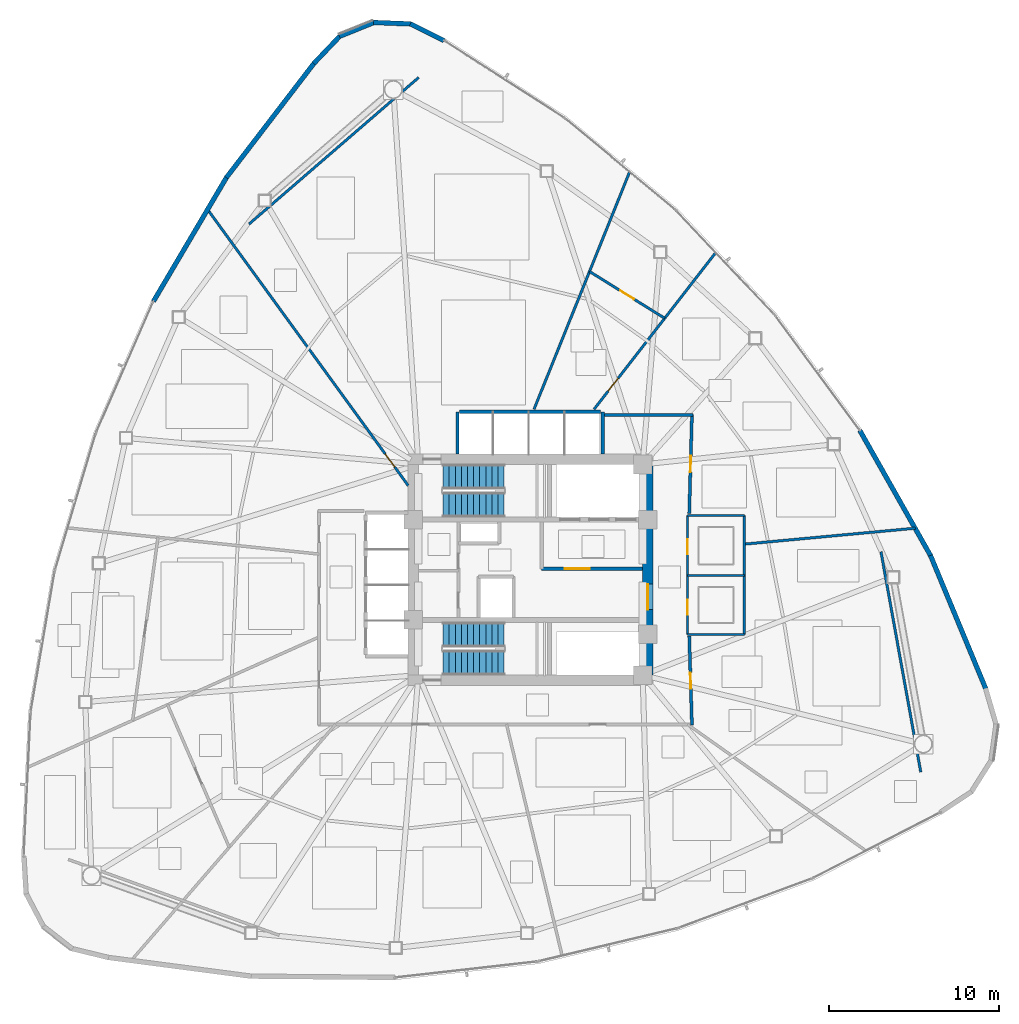
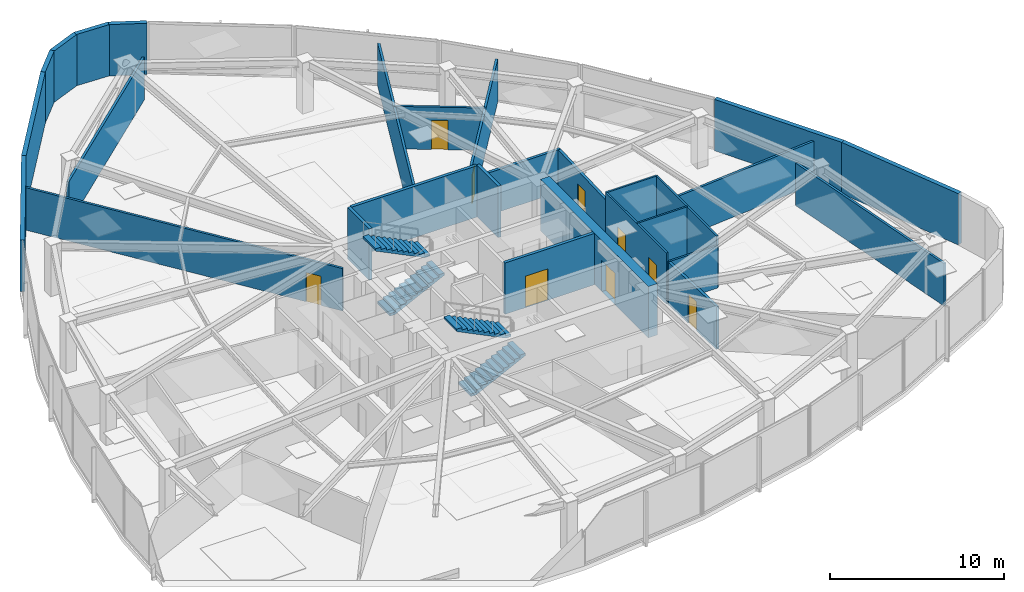
# One storey, part 12 of 17: 28 walls, 9 doors, 4 stair flights, 9 openings, 2 elements without a shape of their own.
"""IFC4 building model written with IfcOpenShell, lengths in metres."""

from ifc_helpers import new_model, si_unit, direction, frame, frame_2d, origin, place, context, subcontext, project, spatial, polyline, rectangle, outline, extrude, material, layer, layer_set, type_object, element, fill, aggregate, save


model = new_model("IFC4")

# Units and contexts
model_context = context("Model", 3, precision=1e-05, world=origin(), true_north=direction((0.0, 1.0)))
body_context = subcontext(model_context, "Body", "Model", "MODEL_VIEW")
ifc_project = project(units=[si_unit("LENGTHUNIT", "METRE"), si_unit("AREAUNIT", "SQUARE_METRE"), si_unit("VOLUMEUNIT", "CUBIC_METRE"), si_unit("PLANEANGLEUNIT", "RADIAN"), si_unit("MASSUNIT", "GRAM", prefix="KILO")], contexts=[model_context])

# Site, building, storey
site_placement = place(None, origin())
site = spatial("IfcSite", under=ifc_project, at=site_placement, CompositionType="ELEMENT")
building_placement = place(site_placement, origin())
building = spatial("IfcBuilding", under=site, at=building_placement, Name="Tavelor Broadcast Tower", CompositionType="ELEMENT")
storey_placement = place(building_placement, frame((0.0, 0.0, 66.60009765625)))
storey = spatial("IfcBuildingStorey", under=building, at=storey_placement, Name="L15", CompositionType="ELEMENT", Elevation=66.60009765625)

# Wall, opening, door
ifc_material_1 = material(Name="Concrete C60/75", Category="concrete")
ifc_layer_1 = layer(ifc_material_1, 0.60009765625)
ifc_layer_set_1 = layer_set([ifc_layer_1], Name="Concrete C60/75")
wall_type_1 = type_object("IfcWallType", Name="Core Shear Wall 600 mm", PredefinedType="SHEAR", material=ifc_layer_set_1)
wall_1_placement = place(storey_placement, frame((56.89990234375, 38.800048828125, 0.0), z_axis=(0.0, 0.0, 1.0), x_axis=(0.0, 1.0, 0.0)))
wall_1 = element("IfcWall", 1, at=wall_1_placement, inside=storey, type_object=wall_type_1, Name="L15 Central Core Shear Wall E", PredefinedType="SHEAR", context=body_context, shape_type="SweptSolid", body=[
    extrude(rectangle(XDim=12.39990234375, YDim=0.60009765625, at=frame_2d((6.199951171875, 0.0))), origin(), (0.0, 0.0, 1.0), 3.599853515625),
])
opening_1_placement = place(wall_1_placement, frame((3.85009765625, 0.0, 0.0)))
opening_1 = element("IfcOpeningElement", 2, at=opening_1_placement, cuts=wall_1, Name="Opening DR14", PredefinedType="OPENING", context=body_context, shape_type="SweptSolid", body=[
    extrude(rectangle(XDim=1.5, YDim=2.199951171875, at=frame_2d((0.75, 1.10009765625))), frame((0.0, 0.31005859375, 0.0), z_axis=(0.0, -1.0, 0.0), x_axis=(1.0, 0.0, 0.0)), (0.0, 0.0, 1.0), 0.6201171875),
])
ifc_material_2 = material(Name="Steel S355", Category="steel")
door_type_1 = type_object("IfcDoorType", Name="Firefighting Lobby Double Fire Door 1500x2200", OperationType="NOTDEFINED", PredefinedType="DOOR", material=ifc_material_2)
door_1_placement = place(opening_1_placement, origin())
door_1 = element("IfcDoor", 3, at=door_1_placement, inside=storey, type_object=door_type_1, Name="L15 Central Core Lobby Fire Door", OperationType="SINGLE_SWING_RIGHT", OverallHeight=2.199951171875, OverallWidth=1.5, PredefinedType="DOOR", context=body_context, shape_type="SweptSolid", body=[
    extrude(rectangle(XDim=1.5, YDim=2.199951171875, at=frame_2d((0.75, 1.10009765625))), frame((0.0, 0.02490234375, 0.0), z_axis=(0.0, -1.0, 0.0), x_axis=(1.0, 0.0, 0.0)), (0.0, 0.0, 1.0), 0.050048828125),
])
fill(opening_1, door_1)

# Wall
ifc_material_3 = material(Name="Calcium Silicate Fire Board 180 mm", Category="gypsum")
ifc_layer_2 = layer(ifc_material_3, 0.179931640625)
ifc_layer_set_2 = layer_set([ifc_layer_2], Name="Calcium Silicate Fire Board 180 mm")
wall_type_2 = type_object("IfcWallType", Name="Fire-Rated Corridor Partition Wall 180 mm", PredefinedType="PARTITIONING", material=ifc_layer_set_2)
wall_2_placement = place(storey_placement, frame((54.300048828125, 54.10009765625, 0.0), z_axis=(0.0, 0.0, 1.0), x_axis=(1.0, 0.0, 0.0)))
element("IfcWall", 4, at=wall_2_placement, inside=storey, type_object=wall_type_2, Name="L15 Corridor Compartment Wall 01", PredefinedType="PARTITIONING", context=body_context, shape_type="SweptSolid", body=[
    extrude(rectangle(XDim=5.25, YDim=0.179931640625, at=frame_2d((2.625, 0.0))), origin(), (0.0, 0.0, 1.0), 2.974853515625),
])

# Wall, opening, door
wall_3_placement = place(storey_placement, frame((59.50146484375, 54.14990234375, 0.0), z_axis=(0.0, 0.0, 1.0), x_axis=(-0.027367567602, -0.999625437973, 0.0)))
wall_3 = element("IfcWall", 5, at=wall_3_placement, inside=storey, type_object=wall_type_2, Name="L15 Corridor Compartment Wall 02", PredefinedType="PARTITIONING", context=body_context, shape_type="SweptSolid", body=[
    extrude(rectangle(XDim=5.85205078125, YDim=0.179931640625, at=frame_2d((2.926025390625, 0.0))), origin(), (0.0, 0.0, 1.0), 2.974853515625),
])
opening_2_placement = place(wall_3_placement, frame((2.451171875, 0.0, 0.0)))
opening_2 = element("IfcOpeningElement", 6, at=opening_2_placement, cuts=wall_3, Name="Opening DR18", PredefinedType="OPENING", context=body_context, shape_type="SweptSolid", body=[
    extrude(rectangle(XDim=0.949951171875, YDim=2.050048828125, at=frame_2d((0.47509765625, 1.02490234375))), frame((0.0, 0.10009765625, 0.0), z_axis=(0.0, -1.0, 0.0), x_axis=(1.0, 0.0, 0.0)), (0.0, 0.0, 1.0), 0.199951171875),
])
ifc_material_4 = material(Name="Timber Solid Core Hardwood", Category="wood")
door_type_2 = type_object("IfcDoorType", Name="Corridor Rated Compartment Door 950x2050", OperationType="NOTDEFINED", PredefinedType="DOOR", material=ifc_material_4)
door_2_placement = place(opening_2_placement, origin())
door_2 = element("IfcDoor", 7, at=door_2_placement, inside=storey, type_object=door_type_2, Name="L15 Presenter Quiet Snug Door R6", OperationType="SINGLE_SWING_LEFT", OverallHeight=2.050048828125, OverallWidth=0.949951171875, PredefinedType="DOOR", context=body_context, shape_type="SweptSolid", body=[
    extrude(rectangle(XDim=0.949951171875, YDim=2.050048828125, at=frame_2d((0.47509765625, 1.02490234375))), frame((0.0, 0.02490234375, 0.0), z_axis=(0.0, -1.0, 0.0), x_axis=(1.0, 0.0, 0.0)), (0.0, 0.0, 1.0), 0.050048828125),
])
fill(opening_2, door_2)

wall_4_placement = place(storey_placement, frame((59.341552734375, 41.10009765625, 0.0), z_axis=(0.0, 0.0, 1.0), x_axis=(0.030445329425, -0.999536433511, 0.0)))
wall_4 = element("IfcWall", 8, at=wall_4_placement, inside=storey, type_object=wall_type_2, Name="L15 Corridor Compartment Wall 03", PredefinedType="PARTITIONING", context=body_context, shape_type="SweptSolid", body=[
    extrude(rectangle(XDim=5.25244140625, YDim=0.179931640625, at=frame_2d((2.626220703125, 0.0))), origin(), (0.0, 0.0, 1.0), 2.974853515625),
])
opening_3_placement = place(wall_4_placement, frame((2.151123046875, 0.0, 0.0)))
opening_3 = element("IfcOpeningElement", 9, at=opening_3_placement, cuts=wall_4, Name="Opening DR18", PredefinedType="OPENING", context=body_context, shape_type="SweptSolid", body=[
    extrude(rectangle(XDim=0.949951171875, YDim=2.050048828125, at=frame_2d((0.47509765625, 1.02490234375))), frame((0.0, 0.10009765625, 0.0), z_axis=(0.0, -1.0, 0.0), x_axis=(1.0, 0.0, 0.0)), (0.0, 0.0, 1.0), 0.199951171875),
])
door_3_placement = place(opening_3_placement, origin())
door_3 = element("IfcDoor", 10, at=door_3_placement, inside=storey, type_object=door_type_2, Name="L15 Broadcast Crew Room Door R7", OperationType="SINGLE_SWING_RIGHT", OverallHeight=2.050048828125, OverallWidth=0.949951171875, PredefinedType="DOOR", context=body_context, shape_type="SweptSolid", body=[
    extrude(rectangle(XDim=0.949951171875, YDim=2.050048828125, at=frame_2d((0.47509765625, 1.02490234375))), frame((0.0, 0.02490234375, 0.0), z_axis=(0.0, -1.0, 0.0), x_axis=(1.0, 0.0, 0.0)), (0.0, 0.0, 1.0), 0.050048828125),
])
fill(opening_3, door_3)

# Walls
ifc_material_5 = material(Name="Precast Concrete C40/50", Category="concrete")
ifc_layer_3 = layer(ifc_material_5, 0.280029296875)
ifc_layer_set_3 = layer_set([ifc_layer_3], Name="Precast Concrete C40/50")
wall_type_3 = type_object("IfcWallType", Name="Insulated Precast Terracotta Facade Wall 280 mm", PredefinedType="STANDARD", material=ifc_layer_set_3)
wall_5_placement = place(storey_placement, frame((44.90771484375, 76.1474609375, 0.0), z_axis=(0.0, 0.0, 1.0), x_axis=(-0.894537641372, 0.446992626527, 0.0)))
element("IfcWall", 11, at=wall_5_placement, inside=storey, type_object=wall_type_3, Name="L15 Rounded Corner Structural Cladding Pier 01", PredefinedType="STANDARD", context=body_context, shape_type="SweptSolid", body=[
    extrude(rectangle(XDim=2.2099609375, YDim=0.280029296875, at=frame_2d((1.10498046875, 0.0))), origin(), (0.0, 0.0, 1.0), 3.599853515625),
])
wall_6_placement = place(storey_placement, frame((42.95947265625, 77.1279296875, 0.0), z_axis=(0.0, 0.0, 1.0), x_axis=(-0.9992313538, 0.039200785496, 0.0)))
element("IfcWall", 12, at=wall_6_placement, inside=storey, type_object=wall_type_3, Name="L15 Rounded Corner Structural Cladding Pier 02", PredefinedType="STANDARD", context=body_context, shape_type="SweptSolid", body=[
    extrude(rectangle(XDim=2.198486328125, YDim=0.280029296875, at=frame_2d((1.09912109375, 0.0))), origin(), (0.0, 0.0, 1.0), 3.599853515625),
])
wall_7_placement = place(storey_placement, frame((40.791748046875, 77.21923828125, 0.0), z_axis=(0.0, 0.0, 1.0), x_axis=(-0.926875066851, -0.375369964768, 0.0)))
element("IfcWall", 13, at=wall_7_placement, inside=storey, type_object=wall_type_3, Name="L15 Rounded Corner Structural Cladding Pier 03", PredefinedType="STANDARD", context=body_context, shape_type="SweptSolid", body=[
    extrude(rectangle(XDim=2.1982421875, YDim=0.280029296875, at=frame_2d((1.09912109375, 0.0))), origin(), (0.0, 0.0, 1.0), 3.599853515625),
])
wall_8_placement = place(storey_placement, frame((38.7783203125, 76.410400390625, 0.0), z_axis=(0.0, 0.0, 1.0), x_axis=(-0.690253440864, -0.723567679886, 0.0)))
element("IfcWall", 14, at=wall_8_placement, inside=storey, type_object=wall_type_3, Name="L15 Rounded Corner Structural Cladding Pier 04", PredefinedType="STANDARD", context=body_context, shape_type="SweptSolid", body=[
    extrude(rectangle(XDim=2.220458984375, YDim=0.280029296875, at=frame_2d((1.1103515625, 0.0))), origin(), (0.0, 0.0, 1.0), 3.599853515625),
])
wall_9_placement = place(storey_placement, frame((37.264892578125, 74.826416015625, 0.0), z_axis=(0.0, 0.0, 1.0), x_axis=(-0.608421288517, -0.793614223461, 0.0)))
element("IfcWall", 15, at=wall_9_placement, inside=storey, type_object=wall_type_3, Name="L15 Rounded Corner Structural Cladding Pier 05", PredefinedType="STANDARD", context=body_context, shape_type="SweptSolid", body=[
    extrude(rectangle(XDim=8.49658203125, YDim=0.280029296875, at=frame_2d((4.248291015625, 0.0))), origin(), (0.0, 0.0, 1.0), 3.599853515625),
])
wall_10_placement = place(storey_placement, frame((32.1123046875, 68.108154296875, 0.0), z_axis=(0.0, 0.0, 1.0), x_axis=(-0.50795162741, -0.861385595544, 0.0)))
element("IfcWall", 16, at=wall_10_placement, inside=storey, type_object=wall_type_3, Name="L15 Rounded Corner Structural Cladding Pier 06", PredefinedType="STANDARD", context=body_context, shape_type="SweptSolid", body=[
    extrude(rectangle(XDim=8.484619140625, YDim=0.280029296875, at=frame_2d((4.2421875, 0.0))), origin(), (0.0, 0.0, 1.0), 3.599853515625),
])
wall_11_placement = place(storey_placement, frame((76.7978515625, 37.998046875, 0.0), z_axis=(0.0, 0.0, 1.0), x_axis=(-0.383058080103, 0.923724259326, 0.0)))
element("IfcWall", 17, at=wall_11_placement, inside=storey, type_object=wall_type_3, Name="L15 Rounded Corner Structural Cladding Pier 25", PredefinedType="STANDARD", context=body_context, shape_type="SweptSolid", body=[
    extrude(rectangle(XDim=8.49658203125, YDim=0.280029296875, at=frame_2d((4.248291015625, 0.0))), origin(), (0.0, 0.0, 1.0), 3.599853515625),
])
wall_12_placement = place(storey_placement, frame((73.55615234375, 45.819580078125, 0.0), z_axis=(0.0, 0.0, 1.0), x_axis=(-0.492021225842, 0.870583202986, 0.0)))
element("IfcWall", 18, at=wall_12_placement, inside=storey, type_object=wall_type_3, Name="L15 Rounded Corner Structural Cladding Pier 26", PredefinedType="STANDARD", context=body_context, shape_type="SweptSolid", body=[
    extrude(rectangle(XDim=8.484619140625, YDim=0.280029296875, at=frame_2d((4.2421875, 0.0))), origin(), (0.0, 0.0, 1.0), 3.599853515625),
])
ifc_material_6 = material(Name="Gypsum Acoustic Plasterboard 150 mm", Category="gypsum")
ifc_layer_4 = layer(ifc_material_6, 0.14990234375)
ifc_layer_set_4 = layer_set([ifc_layer_4], Name="Gypsum Acoustic Plasterboard 150 mm")
wall_type_4 = type_object("IfcWallType", Name="Interior Acoustic Partition Wall 150 mm", PredefinedType="PARTITIONING", material=ifc_layer_set_4)
wall_13_placement = place(storey_placement, frame((43.42138671875, 73.9794921875, 0.0), z_axis=(0.0, 0.0, 1.0), x_axis=(-0.756659135409, -0.653809569218, 0.0)))
element("IfcWall", 19, at=wall_13_placement, inside=storey, type_object=wall_type_4, Name="L15 Corner Tube Brace Furring Wall 1", PredefinedType="PARTITIONING", context=body_context, shape_type="SweptSolid", body=[
    extrude(rectangle(XDim=13.200439453125, YDim=0.14990234375, at=frame_2d((6.60009765625, 0.0))), origin(), (0.0, 0.0, 1.0), 2.974853515625),
])
wall_14_placement = place(storey_placement, frame((72.96923828125, 33.09130859375, 0.0), z_axis=(0.0, 0.0, 1.0), x_axis=(-0.177742578179, 0.984077017261, 0.0)))
element("IfcWall", 20, at=wall_14_placement, inside=storey, type_object=wall_type_4, Name="L15 Corner Tube Brace Furring Wall 3", PredefinedType="PARTITIONING", context=body_context, shape_type="SweptSolid", body=[
    extrude(rectangle(XDim=13.179443359375, YDim=0.14990234375, at=frame_2d((6.58984375, 0.0))), origin(), (0.0, 0.0, 1.0), 2.974853515625),
])

# Wall, opening, door
wall_15_placement = place(storey_placement, frame((42.800048828125, 49.955078125, 0.0), z_axis=(0.0, 0.0, 1.0), x_axis=(-0.587794647475, 0.809010168292, 0.0)))
wall_15 = element("IfcWall", 21, at=wall_15_placement, inside=storey, type_object=wall_type_4, Name="L15 Radial Compartment Wall 01", PredefinedType="PARTITIONING", context=body_context, shape_type="SweptSolid", body=[
    extrude(rectangle(XDim=20.100341796875, YDim=0.14990234375, at=frame_2d((10.05029296875, 0.0))), origin(), (0.0, 0.0, 1.0), 2.974853515625),
])
opening_4_placement = place(wall_15_placement, frame((1.35009765625, 0.0, 0.0)))
opening_4 = element("IfcOpeningElement", 22, at=opening_4_placement, cuts=wall_15, Name="Opening DR18", PredefinedType="OPENING", context=body_context, shape_type="SweptSolid", body=[
    extrude(rectangle(XDim=0.949951171875, YDim=2.050048828125, at=frame_2d((0.47509765625, 1.02490234375))), frame((0.0, 0.0849609375, 0.0), z_axis=(0.0, -1.0, 0.0), x_axis=(1.0, 0.0, 0.0)), (0.0, 0.0, 1.0), 0.169921875),
])
door_4_placement = place(opening_4_placement, origin())
door_4 = element("IfcDoor", 23, at=door_4_placement, inside=storey, type_object=door_type_2, Name="L15 Suite Connecting Door 4", OperationType="SINGLE_SWING_RIGHT", OverallHeight=2.050048828125, OverallWidth=0.949951171875, PredefinedType="DOOR", context=body_context, shape_type="SweptSolid", body=[
    extrude(rectangle(XDim=0.949951171875, YDim=2.050048828125, at=frame_2d((0.47509765625, 1.02490234375))), frame((0.0, 0.02490234375, 0.0), z_axis=(0.0, -1.0, 0.0), x_axis=(1.0, 0.0, 0.0)), (0.0, 0.0, 1.0), 0.050048828125),
])
fill(opening_4, door_4)

# Wall
wall_16_placement = place(storey_placement, frame((62.64990234375, 46.5146484375, 0.0), z_axis=(0.0, 0.0, 1.0), x_axis=(0.995684565506, 0.092802187545, 0.0)))
element("IfcWall", 24, at=wall_16_placement, inside=storey, type_object=wall_type_4, Name="L15 Radial Compartment Wall 07", PredefinedType="PARTITIONING", context=body_context, shape_type="SweptSolid", body=[
    extrude(rectangle(XDim=10.04150390625, YDim=0.14990234375, at=frame_2d((5.020751953125, 0.0))), origin(), (0.0, 0.0, 1.0), 3.02490234375),
])

# Wall, opening, door
wall_17_placement = place(storey_placement, frame((53.739990234375, 54.449951171875, 0.0), z_axis=(0.0, 0.0, 1.0), x_axis=(0.613412549252, 0.789762650687, 0.0)))
wall_17 = element("IfcWall", 25, at=wall_17_placement, inside=storey, type_object=wall_type_4, Name="L15 Radial Compartment Wall 08", PredefinedType="PARTITIONING", context=body_context, shape_type="SweptSolid", body=[
    extrude(rectangle(XDim=11.685791015625, YDim=0.14990234375, at=frame_2d((5.8427734375, 0.0))), origin(), (0.0, 0.0, 1.0), 2.974853515625),
])
opening_5_placement = place(wall_17_placement, frame((1.35009765625, 0.0, 0.0)))
opening_5 = element("IfcOpeningElement", 26, at=opening_5_placement, cuts=wall_17, Name="Opening DR18", PredefinedType="OPENING", context=body_context, shape_type="SweptSolid", body=[
    extrude(rectangle(XDim=0.949951171875, YDim=2.050048828125, at=frame_2d((0.47509765625, 1.02490234375))), frame((0.0, 0.0849609375, 0.0), z_axis=(0.0, -1.0, 0.0), x_axis=(1.0, 0.0, 0.0)), (0.0, 0.0, 1.0), 0.169921875),
])
door_5_placement = place(opening_5_placement, origin())
door_5 = element("IfcDoor", 27, at=door_5_placement, inside=storey, type_object=door_type_2, Name="L15 Suite Connecting Door 9", OperationType="SINGLE_SWING_LEFT", OverallHeight=2.050048828125, OverallWidth=0.949951171875, PredefinedType="DOOR", context=body_context, shape_type="SweptSolid", body=[
    extrude(rectangle(XDim=0.949951171875, YDim=2.050048828125, at=frame_2d((0.47509765625, 1.02490234375))), frame((0.0, 0.02490234375, 0.0), z_axis=(0.0, -1.0, 0.0), x_axis=(1.0, 0.0, 0.0)), (0.0, 0.0, 1.0), 0.050048828125),
])
fill(opening_5, door_5)

# Wall
wall_18_placement = place(storey_placement, frame((50.20654296875, 54.449951171875, 0.0), z_axis=(0.0, 0.0, 1.0), x_axis=(0.373638533128, 0.927574388695, 0.0)))
element("IfcWall", 28, at=wall_18_placement, inside=storey, type_object=wall_type_4, Name="L15 Radial Compartment Wall 09", PredefinedType="PARTITIONING", context=body_context, shape_type="SweptSolid", body=[
    extrude(rectangle(XDim=15.067138671875, YDim=0.14990234375, at=frame_2d((7.53369140625, 0.0))), origin(), (0.0, 0.0, 1.0), 2.974853515625),
])

# Wall, opening, door
wall_19_placement = place(storey_placement, frame((57.897705078125, 59.802734375, 0.0), z_axis=(0.0, 0.0, 1.0), x_axis=(-0.849125227798, 0.52819158221, 0.0)))
wall_19 = element("IfcWall", 29, at=wall_19_placement, inside=storey, type_object=wall_type_4, Name="L15 Suite Chord Partition Wall 01", PredefinedType="PARTITIONING", context=body_context, shape_type="SweptSolid", body=[
    extrude(rectangle(XDim=5.21240234375, YDim=0.14990234375, at=frame_2d((2.606201171875, 0.0))), origin(), (0.0, 0.0, 1.0), 2.974853515625),
])
opening_6_placement = place(wall_19_placement, frame((2.131103515625, 0.0, 0.0)))
opening_6 = element("IfcOpeningElement", 30, at=opening_6_placement, cuts=wall_19, Name="Opening DR23", PredefinedType="OPENING", context=body_context, shape_type="SweptSolid", body=[
    extrude(rectangle(XDim=0.949951171875, YDim=2.050048828125, at=frame_2d((0.47509765625, 1.02490234375))), frame((0.0, 0.0849609375, 0.0), z_axis=(0.0, -1.0, 0.0), x_axis=(1.0, 0.0, 0.0)), (0.0, 0.0, 1.0), 0.169921875),
])
door_type_3 = type_object("IfcDoorType", Name="Editorial Room Acoustic Door 950x2050", OperationType="NOTDEFINED", PredefinedType="DOOR", material=ifc_material_4)
door_6_placement = place(opening_6_placement, origin())
door_6 = element("IfcDoor", 31, at=door_6_placement, inside=storey, type_object=door_type_3, Name="L15 Outer Suite Partition Door 1", OperationType="SINGLE_SWING_RIGHT", OverallHeight=2.050048828125, OverallWidth=0.949951171875, PredefinedType="DOOR", context=body_context, shape_type="SweptSolid", body=[
    extrude(rectangle(XDim=0.949951171875, YDim=2.050048828125, at=frame_2d((0.47509765625, 1.02490234375))), frame((0.0, 0.02490234375, 0.0), z_axis=(0.0, -1.0, 0.0), x_axis=(1.0, 0.0, 0.0)), (0.0, 0.0, 1.0), 0.050048828125),
])
fill(opening_6, door_6)

# Walls
ifc_material_7 = material(Name="Concrete Blockwork 200 mm", Category="masonry")
ifc_layer_5 = layer(ifc_material_7, 0.199951171875)
ifc_layer_set_5 = layer_set([ifc_layer_5], Name="Concrete Blockwork 200 mm")
wall_type_5 = type_object("IfcWallType", Name="Lift Hoistway Rated Front Wall 200 mm", PredefinedType="PARTITIONING", material=ifc_layer_set_5)
wall_20_placement = place(storey_placement, frame((45.820068359375, 54.300048828125, 0.0), z_axis=(0.0, 0.0, 1.0), x_axis=(1.0, 0.0, 0.0)))
element("IfcWall", 32, at=wall_20_placement, inside=storey, type_object=wall_type_5, Name="L15 High-Rise Lift Hoistway Front Wall", PredefinedType="PARTITIONING", context=body_context, shape_type="SweptSolid", body=[
    extrude(rectangle(XDim=8.309814453125, YDim=0.199951171875, at=frame_2d((4.15478515625, 0.0))), origin(), (0.0, 0.0, 1.0), 3.599853515625),
])
ifc_layer_6 = layer(ifc_material_7, 0.199951171875)
ifc_layer_set_6 = layer_set([ifc_layer_6], Name="Concrete Blockwork 200 mm")
wall_type_6 = type_object("IfcWallType", Name="Lift and Riser Shaft Enclosure Wall 200 mm", PredefinedType="PARTITIONING", material=ifc_layer_set_6)
for number, where, z_axis, x_axis, name in (
    (33, (45.699951171875, 51.800048828125, 0.0), (0.0, 0.0, 1.0), (0.0, 1.0, 0.0), "L15 High-Rise Lift Shaft West Wall"),
    (34, (54.25, 51.800048828125, 0.0), (0.0, 0.0, 1.0), (0.0, 1.0, 0.0), "L15 High-Rise Lift Shaft East Wall"),
):
    element("IfcWall", number, at=place(storey_placement, frame(where, z_axis=z_axis, x_axis=x_axis)), inside=storey, type_object=wall_type_6, Name=name, PredefinedType="PARTITIONING", context=body_context, shape_type="SweptSolid", body=[
        extrude(rectangle(XDim=2.5, YDim=0.199951171875, at=frame_2d((1.25, 0.0))), origin(), (0.0, 0.0, 1.0), 3.599853515625),
    ])

# Wall, opening, door
wall_21_placement = place(storey_placement, frame((50.64990234375, 45.050048828125, 0.0), z_axis=(0.0, 0.0, 1.0), x_axis=(1.0, 0.0, 0.0)))
wall_21 = element("IfcWall", 35, at=wall_21_placement, inside=storey, type_object=wall_type_6, Name="L15 Firefighting Lobby South Wall", PredefinedType="PARTITIONING", context=body_context, shape_type="SweptSolid", body=[
    extrude(rectangle(XDim=5.9501953125, YDim=0.199951171875, at=frame_2d((2.97509765625, 0.0))), origin(), (0.0, 0.0, 1.0), 3.599853515625),
])
opening_7_placement = place(wall_21_placement, frame((1.35009765625, 0.0, 0.0)))
opening_7 = element("IfcOpeningElement", 36, at=opening_7_placement, cuts=wall_21, Name="Opening DR14", PredefinedType="OPENING", context=body_context, shape_type="SweptSolid", body=[
    extrude(rectangle(XDim=1.5, YDim=2.199951171875, at=frame_2d((0.75, 1.10009765625))), frame((0.0, 0.10986328125, 0.0), z_axis=(0.0, -1.0, 0.0), x_axis=(1.0, 0.0, 0.0)), (0.0, 0.0, 1.0), 0.219970703125),
])
door_7_placement = place(opening_7_placement, origin())
door_7 = element("IfcDoor", 37, at=door_7_placement, inside=storey, type_object=door_type_1, Name="L15 Firefighting Lobby Compartment Door", OperationType="SINGLE_SWING_LEFT", OverallHeight=2.199951171875, OverallWidth=1.5, PredefinedType="DOOR", context=body_context, shape_type="SweptSolid", body=[
    extrude(rectangle(XDim=1.5, YDim=2.199951171875, at=frame_2d((0.75, 1.10009765625))), frame((0.0, 0.02490234375, 0.0), z_axis=(0.0, -1.0, 0.0), x_axis=(1.0, 0.0, 0.0)), (0.0, 0.0, 1.0), 0.050048828125),
])
fill(opening_7, door_7)

# Wall, openings, doors
ifc_material_8 = material(Name="Moisture-Resistant Plasterboard 120 mm", Category="gypsum")
ifc_layer_7 = layer(ifc_material_8, 0.1201171875)
ifc_layer_set_7 = layer_set([ifc_layer_7], Name="Moisture-Resistant Plasterboard 120 mm")
wall_type_7 = type_object("IfcWallType", Name="Moisture-Resistant Wet-Room Partition 120 mm", PredefinedType="PARTITIONING", material=ifc_layer_set_7)
wall_22_placement = place(storey_placement, frame((59.239990234375, 41.199951171875, 0.0), z_axis=(0.0, 0.0, 1.0), x_axis=(0.0, 1.0, 0.0)))
wall_22 = element("IfcWall", 38, at=wall_22_placement, inside=storey, type_object=wall_type_7, Name="L15 Floor Washrooms West Wall", PredefinedType="PARTITIONING", context=body_context, shape_type="SweptSolid", body=[
    extrude(rectangle(XDim=7.0, YDim=0.1201171875, at=frame_2d((3.5, 0.0))), origin(), (0.0, 0.0, 1.0), 3.599853515625),
])
opening_8_placement = place(wall_22_placement, frame((1.14990234375, 0.0, 0.0)))
opening_8 = element("IfcOpeningElement", 39, at=opening_8_placement, cuts=wall_22, Name="Opening DR32", PredefinedType="OPENING", context=body_context, shape_type="SweptSolid", body=[
    extrude(rectangle(XDim=0.89990234375, YDim=2.050048828125, at=frame_2d((0.449951171875, 1.02490234375))), frame((0.0, 0.070068359375, 0.0), z_axis=(0.0, -1.0, 0.0), x_axis=(1.0, 0.0, 0.0)), (0.0, 0.0, 1.0), 0.14013671875),
])
opening_9_placement = place(wall_22_placement, frame((4.699951171875, 0.0, 0.0)))
opening_9 = element("IfcOpeningElement", 40, at=opening_9_placement, cuts=wall_22, Name="Opening DR32", PredefinedType="OPENING", context=body_context, shape_type="SweptSolid", body=[
    extrude(rectangle(XDim=0.89990234375, YDim=2.050048828125, at=frame_2d((0.449951171875, 1.02490234375))), frame((0.0, 0.070068359375, 0.0), z_axis=(0.0, -1.0, 0.0), x_axis=(1.0, 0.0, 0.0)), (0.0, 0.0, 1.0), 0.14013671875),
])
door_type_4 = type_object("IfcDoorType", Name="Accessible Washroom Door 900x2050", OperationType="NOTDEFINED", PredefinedType="DOOR", material=ifc_material_4)
door_8_placement = place(opening_8_placement, origin())
door_8 = element("IfcDoor", 41, at=door_8_placement, inside=storey, type_object=door_type_4, Name="L15 Accessible WC Door", OperationType="SINGLE_SWING_LEFT", OverallHeight=2.050048828125, OverallWidth=0.89990234375, PredefinedType="DOOR", context=body_context, shape_type="SweptSolid", body=[
    extrude(rectangle(XDim=0.89990234375, YDim=2.050048828125, at=frame_2d((0.449951171875, 1.02490234375))), frame((0.0, 0.02490234375, 0.0), z_axis=(0.0, -1.0, 0.0), x_axis=(1.0, 0.0, 0.0)), (0.0, 0.0, 1.0), 0.050048828125),
])
fill(opening_8, door_8)
door_9_placement = place(opening_9_placement, origin())
door_9 = element("IfcDoor", 42, at=door_9_placement, inside=storey, type_object=door_type_4, Name="L15 Staff Washroom WC Door", OperationType="SINGLE_SWING_RIGHT", OverallHeight=2.050048828125, OverallWidth=0.89990234375, PredefinedType="DOOR", context=body_context, shape_type="SweptSolid", body=[
    extrude(rectangle(XDim=0.89990234375, YDim=2.050048828125, at=frame_2d((0.449951171875, 1.02490234375))), frame((0.0, 0.02490234375, 0.0), z_axis=(0.0, -1.0, 0.0), x_axis=(1.0, 0.0, 0.0)), (0.0, 0.0, 1.0), 0.050048828125),
])
fill(opening_9, door_9)

# Walls
wall_23_placement = place(storey_placement, frame((59.239990234375, 41.199951171875, 0.0), z_axis=(0.0, 0.0, 1.0), x_axis=(1.0, 0.0, 0.0)))
element("IfcWall", 43, at=wall_23_placement, inside=storey, type_object=wall_type_7, Name="L15 Floor Washrooms South Wall", PredefinedType="PARTITIONING", context=body_context, shape_type="SweptSolid", body=[
    extrude(rectangle(XDim=3.340087890625, YDim=0.1201171875, at=frame_2d((1.669921875, 0.0))), origin(), (0.0, 0.0, 1.0), 2.974853515625),
])
for number, where, z_axis, x_axis, name in (
    (44, (59.239990234375, 44.64990234375, 0.0), (0.0, 0.0, 1.0), (1.0, 0.0, 0.0), "L15 Floor Washrooms Divider Wall"),
    (45, (59.239990234375, 48.199951171875, 0.0), (0.0, 0.0, 1.0), (1.0, 0.0, 0.0), "L15 Floor Washrooms North Wall"),
):
    element("IfcWall", number, at=place(storey_placement, frame(where, z_axis=z_axis, x_axis=x_axis)), inside=storey, type_object=wall_type_7, Name=name, PredefinedType="PARTITIONING", context=body_context, shape_type="SweptSolid", body=[
        extrude(rectangle(XDim=3.340087890625, YDim=0.1201171875, at=frame_2d((1.669921875, 0.0))), origin(), (0.0, 0.0, 1.0), 3.599853515625),
    ])
wall_24_placement = place(storey_placement, frame((62.580078125, 41.199951171875, 0.0), z_axis=(0.0, 0.0, 1.0), x_axis=(0.0, 1.0, 0.0)))
element("IfcWall", 46, at=wall_24_placement, inside=storey, type_object=wall_type_7, Name="L15 Floor Washrooms East Wall", PredefinedType="PARTITIONING", context=body_context, shape_type="SweptSolid", body=[
    extrude(rectangle(XDim=7.0, YDim=0.1201171875, at=frame_2d((3.5, 0.0))), origin(), (0.0, 0.0, 1.0), 3.599853515625),
])

# Stair, stair flights
ifc_material_9 = material(Name="Concrete C40/50", Category="concrete")
stair_type = type_object("IfcStairType", Name="Reinforced Concrete Protected Dogleg Stair 1450 mm", PredefinedType="HALF_TURN_STAIR", material=ifc_material_9)
stair_1_placement = place(storey_placement, origin())
stair_1 = element("IfcStair", 47, at=stair_1_placement, inside=storey, type_object=stair_type, Name="L15 Protected Core Exit Stair ST1", PredefinedType="HALF_TURN_STAIR")
stair_flight_type = type_object("IfcStairFlightType", Name="Reinforced Concrete Stair Flight 1450 mm", PredefinedType="STRAIGHT", material=ifc_material_9)
stair_flight_1_placement = place(storey_placement, frame((44.85009765625, 48.824951171875, 0.0), z_axis=(0.0, 0.0, 1.0), x_axis=(1.0, 0.0, 0.0)))
stair_flight_1 = element("IfcStairFlight", 48, at=stair_flight_1_placement, type_object=stair_flight_type, Name="ST1 flight 1", NumberOfRisers=11, NumberOfTreads=10, PredefinedType="STRAIGHT", RiserHeight=0.177272727, TreadLength=0.36, context=body_context, shape_type="SweptSolid", body=[
    extrude(outline(polyline([(0.0, 0.0), (0.0, 0.17724609375), (0.360107421875, 0.17724609375), (0.360107421875, 0.3544921875), (0.719970703125, 0.3544921875), (0.719970703125, 0.53173828125), (1.080078125, 0.53173828125), (1.080078125, 0.708984375), (1.43994140625, 0.708984375), (1.43994140625, 0.886474609375), (1.800048828125, 0.886474609375), (1.800048828125, 1.063720703125), (2.159912109375, 1.063720703125), (2.159912109375, 1.240966796875), (2.52001953125, 1.240966796875), (2.52001953125, 1.418212890625), (2.8798828125, 1.418212890625), (2.8798828125, 1.595458984375), (3.239990234375, 1.595458984375), (3.239990234375, 1.772705078125), (3.60009765625, 1.772705078125), (3.60009765625, 1.949951171875), (3.60009765625, 1.605712890625), (0.33935546875, 0.0), (0.0, 0.0)])), frame((0.0, 0.72509765625, 0.0), z_axis=(0.0, -1.0, 0.0), x_axis=(1.0, 0.0, 0.0)), (0.0, 0.0, 1.0), 1.449951171875),
])
stair_flight_2_placement = place(storey_placement, frame((48.449951171875, 50.47509765625, 1.949951171875), z_axis=(0.0, 0.0, 1.0), x_axis=(-1.0, 0.0, 0.0)))
stair_flight_2 = element("IfcStairFlight", 49, at=stair_flight_2_placement, type_object=stair_flight_type, Name="ST1 flight 2", NumberOfRisers=11, NumberOfTreads=10, PredefinedType="STRAIGHT", RiserHeight=0.177272727, TreadLength=0.36, context=body_context, shape_type="SweptSolid", body=[
    extrude(outline(polyline([(0.0, 0.0), (0.0, 0.17724609375), (0.360107421875, 0.17724609375), (0.360107421875, 0.3544921875), (0.719970703125, 0.3544921875), (0.719970703125, 0.53173828125), (1.080078125, 0.53173828125), (1.080078125, 0.708984375), (1.43994140625, 0.708984375), (1.43994140625, 0.886474609375), (1.800048828125, 0.886474609375), (1.800048828125, 1.063720703125), (2.159912109375, 1.063720703125), (2.159912109375, 1.240966796875), (2.52001953125, 1.240966796875), (2.52001953125, 1.418212890625), (2.8798828125, 1.418212890625), (2.8798828125, 1.595458984375), (3.239990234375, 1.595458984375), (3.239990234375, 1.772705078125), (3.60009765625, 1.772705078125), (3.60009765625, 1.949951171875), (3.60009765625, 1.605712890625), (0.33935546875, 0.0), (0.0, 0.0)])), frame((0.0, 0.72509765625, 0.0), z_axis=(0.0, -1.0, 0.0), x_axis=(1.0, 0.0, 0.0)), (0.0, 0.0, 1.0), 1.449951171875),
])
aggregate(stair_1, [stair_flight_1, stair_flight_2])

stair_2_placement = place(storey_placement, origin())
stair_2 = element("IfcStair", 50, at=stair_2_placement, inside=storey, type_object=stair_type, Name="L15 Protected Core Exit Stair ST2", PredefinedType="HALF_TURN_STAIR")
stair_flight_3_placement = place(storey_placement, frame((44.85009765625, 39.52490234375, 0.0), z_axis=(0.0, 0.0, 1.0), x_axis=(1.0, 0.0, 0.0)))
stair_flight_3 = element("IfcStairFlight", 51, at=stair_flight_3_placement, type_object=stair_flight_type, Name="ST2 flight 1", NumberOfRisers=11, NumberOfTreads=10, PredefinedType="STRAIGHT", RiserHeight=0.177272727, TreadLength=0.36, context=body_context, shape_type="SweptSolid", body=[
    extrude(outline(polyline([(0.0, 0.0), (0.0, 0.17724609375), (0.360107421875, 0.17724609375), (0.360107421875, 0.3544921875), (0.719970703125, 0.3544921875), (0.719970703125, 0.53173828125), (1.080078125, 0.53173828125), (1.080078125, 0.708984375), (1.43994140625, 0.708984375), (1.43994140625, 0.886474609375), (1.800048828125, 0.886474609375), (1.800048828125, 1.063720703125), (2.159912109375, 1.063720703125), (2.159912109375, 1.240966796875), (2.52001953125, 1.240966796875), (2.52001953125, 1.418212890625), (2.8798828125, 1.418212890625), (2.8798828125, 1.595458984375), (3.239990234375, 1.595458984375), (3.239990234375, 1.772705078125), (3.60009765625, 1.772705078125), (3.60009765625, 1.949951171875), (3.60009765625, 1.605712890625), (0.33935546875, 0.0), (0.0, 0.0)])), frame((0.0, 0.72509765625, 0.0), z_axis=(0.0, -1.0, 0.0), x_axis=(1.0, 0.0, 0.0)), (0.0, 0.0, 1.0), 1.449951171875),
])
stair_flight_4_placement = place(storey_placement, frame((48.449951171875, 41.175048828125, 1.949951171875), z_axis=(0.0, 0.0, 1.0), x_axis=(-1.0, 0.0, 0.0)))
stair_flight_4 = element("IfcStairFlight", 52, at=stair_flight_4_placement, type_object=stair_flight_type, Name="ST2 flight 2", NumberOfRisers=11, NumberOfTreads=10, PredefinedType="STRAIGHT", RiserHeight=0.177272727, TreadLength=0.36, context=body_context, shape_type="SweptSolid", body=[
    extrude(outline(polyline([(0.0, 0.0), (0.0, 0.17724609375), (0.360107421875, 0.17724609375), (0.360107421875, 0.3544921875), (0.719970703125, 0.3544921875), (0.719970703125, 0.53173828125), (1.080078125, 0.53173828125), (1.080078125, 0.708984375), (1.43994140625, 0.708984375), (1.43994140625, 0.886474609375), (1.800048828125, 0.886474609375), (1.800048828125, 1.063720703125), (2.159912109375, 1.063720703125), (2.159912109375, 1.240966796875), (2.52001953125, 1.240966796875), (2.52001953125, 1.418212890625), (2.8798828125, 1.418212890625), (2.8798828125, 1.595458984375), (3.239990234375, 1.595458984375), (3.239990234375, 1.772705078125), (3.60009765625, 1.772705078125), (3.60009765625, 1.949951171875), (3.60009765625, 1.605712890625), (0.33935546875, 0.0), (0.0, 0.0)])), frame((0.0, 0.72509765625, 0.0), z_axis=(0.0, -1.0, 0.0), x_axis=(1.0, 0.0, 0.0)), (0.0, 0.0, 1.0), 1.449951171875),
])
aggregate(stair_2, [stair_flight_3, stair_flight_4])

save(model, "model.ifc")
